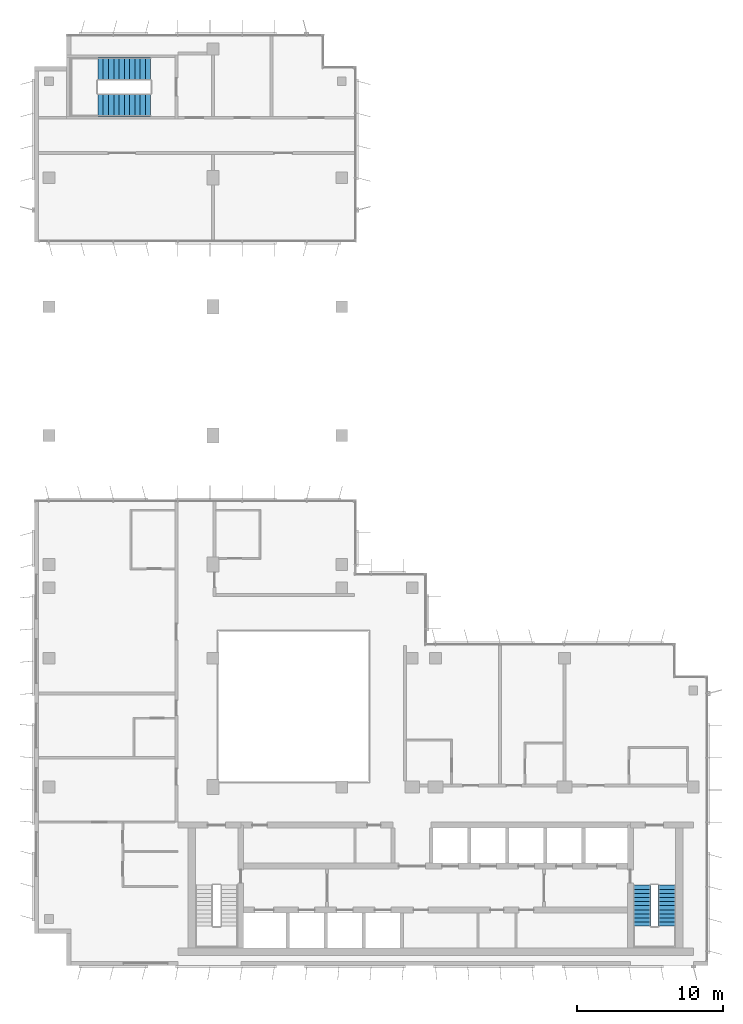
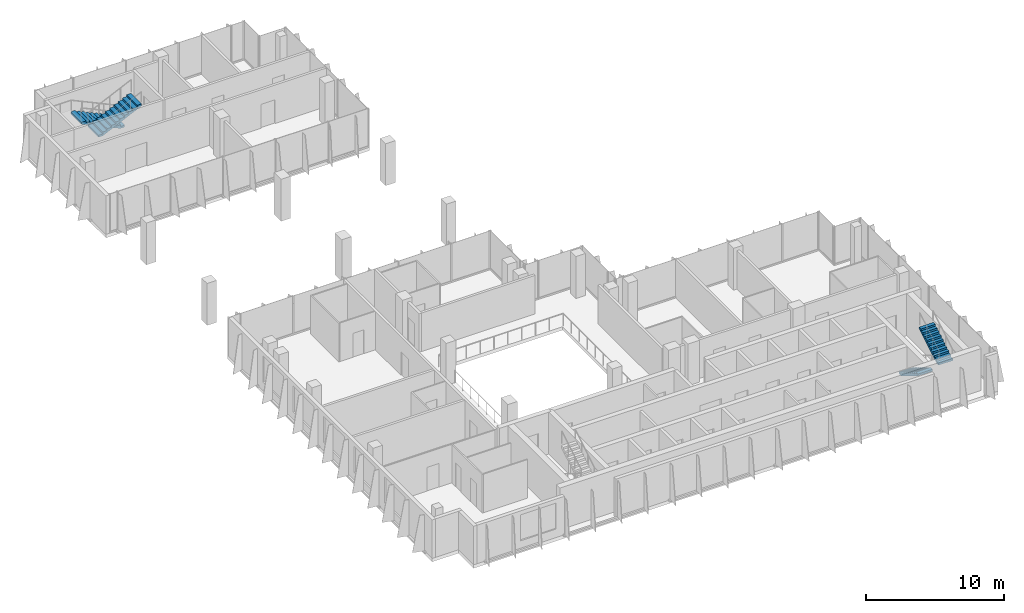
# One storey, part 12 of 14: 4 stair flights, 2 elements without a shape of their own.
"""IFC4 building model written with IfcOpenShell, lengths in metres."""

from ifc_helpers import new_model, si_unit, direction, frame, origin, place, context, subcontext, project, spatial, polyline, outline, extrude, material, type_object, element, aggregate, save


model = new_model("IFC4")

# Units and contexts
model_context = context("Model", 3, precision=1e-05, world=origin(), true_north=direction((0.0, 1.0)))
body_context = subcontext(model_context, "Body", "Model", "MODEL_VIEW")
ifc_project = project(units=[si_unit("LENGTHUNIT", "METRE"), si_unit("AREAUNIT", "SQUARE_METRE"), si_unit("VOLUMEUNIT", "CUBIC_METRE"), si_unit("PLANEANGLEUNIT", "RADIAN"), si_unit("MASSUNIT", "GRAM", prefix="KILO")], contexts=[model_context])

# Site, building, storey
site_placement = place(None, origin())
site = spatial("IfcSite", under=ifc_project, at=site_placement, CompositionType="ELEMENT")
building_placement = place(site_placement, origin())
building = spatial("IfcBuilding", under=site, at=building_placement, Name="Kemantara Hotel Tower", CompositionType="ELEMENT")
storey_placement = place(building_placement, frame((0.0, 0.0, 245.0)))
storey = spatial("IfcBuildingStorey", under=building, at=storey_placement, Name="L61", CompositionType="ELEMENT", Elevation=245.0)

# Stair, stair flights
ifc_material = material(Name="Concrete fc 40 MPa", Category="concrete")
stair_type_1 = type_object("IfcStairType", Name="Stair 1200 wide 22 risers of 168 x 280 mm", PredefinedType="HALF_TURN_STAIR", material=ifc_material)
stair_1_placement = place(storey_placement, origin())
stair_1 = element("IfcStair", 1, at=stair_1_placement, inside=storey, type_object=stair_type_1, Name="L61 Exit stair ST2", PredefinedType="HALF_TURN_STAIR")
stair_flight_type_1 = type_object("IfcStairFlightType", Name="Stair flight 1200 wide 168 x 280 mm", PredefinedType="STRAIGHT", material=ifc_material)
stair_flight_1_placement = place(storey_placement, frame((41.5, 5.5, 0.0), z_axis=(0.0, 0.0, 1.0), x_axis=(0.0, -1.0, 0.0)))
stair_flight_1 = element("IfcStairFlight", 2, at=stair_flight_1_placement, type_object=stair_flight_type_1, Name="ST2 flight 1", NumberOfRisers=11, NumberOfTreads=10, PredefinedType="STRAIGHT", RiserHeight=0.168181818, TreadLength=0.28, context=body_context, shape_type="SweptSolid", body=[
    extrude(outline(polyline([(0.0, 0.0), (0.0, 0.168212890625), (0.280029296875, 0.168212890625), (0.280029296875, 0.33642578125), (0.56005859375, 0.33642578125), (0.56005859375, 0.504638671875), (0.840087890625, 0.504638671875), (0.840087890625, 0.672607421875), (1.1201171875, 0.672607421875), (1.1201171875, 0.8408203125), (1.39990234375, 0.8408203125), (1.39990234375, 1.009033203125), (1.679931640625, 1.009033203125), (1.679931640625, 1.17724609375), (1.9599609375, 1.17724609375), (1.9599609375, 1.345458984375), (2.239990234375, 1.345458984375), (2.239990234375, 1.513671875), (2.52001953125, 1.513671875), (2.52001953125, 1.681884765625), (2.800048828125, 1.681884765625), (2.800048828125, 1.85009765625), (2.800048828125, 1.5068359375), (0.291015625, 0.0), (0.0, 0.0)])), frame((0.0, 0.60009765625, 0.0), z_axis=(0.0, -1.0, 0.0), x_axis=(1.0, 0.0, 0.0)), (0.0, 0.0, 1.0), 1.199951171875),
])
stair_flight_2_placement = place(storey_placement, frame((43.199951171875, 2.699951171875, 1.85009765625), z_axis=(0.0, 0.0, 1.0), x_axis=(0.0, 1.0, 0.0)))
stair_flight_2 = element("IfcStairFlight", 3, at=stair_flight_2_placement, type_object=stair_flight_type_1, Name="ST2 flight 2", NumberOfRisers=11, NumberOfTreads=10, PredefinedType="STRAIGHT", RiserHeight=0.168181818, TreadLength=0.28, context=body_context, shape_type="SweptSolid", body=[
    extrude(outline(polyline([(0.0, 0.0), (0.0, 0.168212890625), (0.280029296875, 0.168212890625), (0.280029296875, 0.33642578125), (0.56005859375, 0.33642578125), (0.56005859375, 0.504638671875), (0.840087890625, 0.504638671875), (0.840087890625, 0.672607421875), (1.1201171875, 0.672607421875), (1.1201171875, 0.8408203125), (1.39990234375, 0.8408203125), (1.39990234375, 1.009033203125), (1.679931640625, 1.009033203125), (1.679931640625, 1.17724609375), (1.9599609375, 1.17724609375), (1.9599609375, 1.345458984375), (2.239990234375, 1.345458984375), (2.239990234375, 1.513671875), (2.52001953125, 1.513671875), (2.52001953125, 1.681884765625), (2.800048828125, 1.681884765625), (2.800048828125, 1.85009765625), (2.800048828125, 1.5068359375), (0.291015625, 0.0), (0.0, 0.0)])), frame((0.0, 0.60009765625, 0.0), z_axis=(0.0, -1.0, 0.0), x_axis=(1.0, 0.0, 0.0)), (0.0, 0.0, 1.0), 1.199951171875),
])
aggregate(stair_1, [stair_flight_1, stair_flight_2])

stair_type_2 = type_object("IfcStairType", Name="Stair 1550 wide 22 risers of 168 x 360 mm", PredefinedType="HALF_TURN_STAIR", material=ifc_material)
stair_2_placement = place(storey_placement, origin())
stair_2 = element("IfcStair", 4, at=stair_2_placement, inside=storey, type_object=stair_type_2, Name="L61 Exit stair ST4", PredefinedType="HALF_TURN_STAIR")
stair_flight_type_2 = type_object("IfcStairFlightType", Name="Stair flight 1550 wide 168 x 360 mm", PredefinedType="STRAIGHT", material=ifc_material)
stair_flight_3_placement = place(storey_placement, frame((7.949951171875, 61.22509765625, 0.0), z_axis=(0.0, 0.0, 1.0), x_axis=(-1.0, 0.0, 0.0)))
stair_flight_3 = element("IfcStairFlight", 5, at=stair_flight_3_placement, type_object=stair_flight_type_2, Name="ST4 flight 1", NumberOfRisers=11, NumberOfTreads=10, PredefinedType="STRAIGHT", RiserHeight=0.168181818, TreadLength=0.36, context=body_context, shape_type="SweptSolid", body=[
    extrude(outline(polyline([(0.0, 0.0), (0.0, 0.168212890625), (0.360107421875, 0.168212890625), (0.360107421875, 0.33642578125), (0.719970703125, 0.33642578125), (0.719970703125, 0.504638671875), (1.080078125, 0.504638671875), (1.080078125, 0.672607421875), (1.43994140625, 0.672607421875), (1.43994140625, 0.8408203125), (1.800048828125, 0.8408203125), (1.800048828125, 1.009033203125), (2.159912109375, 1.009033203125), (2.159912109375, 1.17724609375), (2.52001953125, 1.17724609375), (2.52001953125, 1.345458984375), (2.8798828125, 1.345458984375), (2.8798828125, 1.513671875), (3.239990234375, 1.513671875), (3.239990234375, 1.681884765625), (3.60009765625, 1.681884765625), (3.60009765625, 1.85009765625), (3.60009765625, 1.516357421875), (0.354248046875, 0.0), (0.0, 0.0)])), frame((0.0, 0.77490234375, 0.0), z_axis=(0.0, -1.0, 0.0), x_axis=(1.0, 0.0, 0.0)), (0.0, 0.0, 1.0), 1.550048828125),
])
stair_flight_4_placement = place(storey_placement, frame((4.35009765625, 58.77490234375, 1.85009765625), z_axis=(0.0, 0.0, 1.0), x_axis=(1.0, 0.0, 0.0)))
stair_flight_4 = element("IfcStairFlight", 6, at=stair_flight_4_placement, type_object=stair_flight_type_2, Name="ST4 flight 2", NumberOfRisers=11, NumberOfTreads=10, PredefinedType="STRAIGHT", RiserHeight=0.168181818, TreadLength=0.36, context=body_context, shape_type="SweptSolid", body=[
    extrude(outline(polyline([(0.0, 0.0), (0.0, 0.168212890625), (0.360107421875, 0.168212890625), (0.360107421875, 0.33642578125), (0.719970703125, 0.33642578125), (0.719970703125, 0.504638671875), (1.080078125, 0.504638671875), (1.080078125, 0.672607421875), (1.43994140625, 0.672607421875), (1.43994140625, 0.8408203125), (1.800048828125, 0.8408203125), (1.800048828125, 1.009033203125), (2.159912109375, 1.009033203125), (2.159912109375, 1.17724609375), (2.52001953125, 1.17724609375), (2.52001953125, 1.345458984375), (2.8798828125, 1.345458984375), (2.8798828125, 1.513671875), (3.239990234375, 1.513671875), (3.239990234375, 1.681884765625), (3.60009765625, 1.681884765625), (3.60009765625, 1.85009765625), (3.60009765625, 1.516357421875), (0.354248046875, 0.0), (0.0, 0.0)])), frame((0.0, 0.77490234375, 0.0), z_axis=(0.0, -1.0, 0.0), x_axis=(1.0, 0.0, 0.0)), (0.0, 0.0, 1.0), 1.550048828125),
])
aggregate(stair_2, [stair_flight_3, stair_flight_4])

save(model, "model.ifc")
